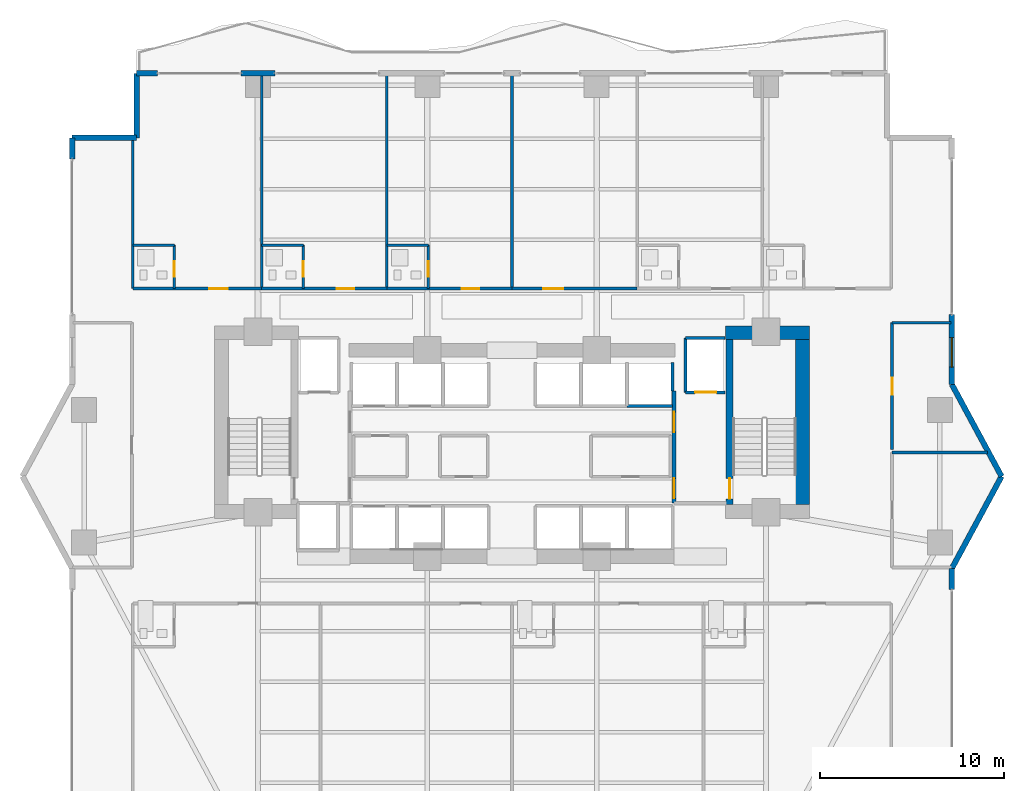
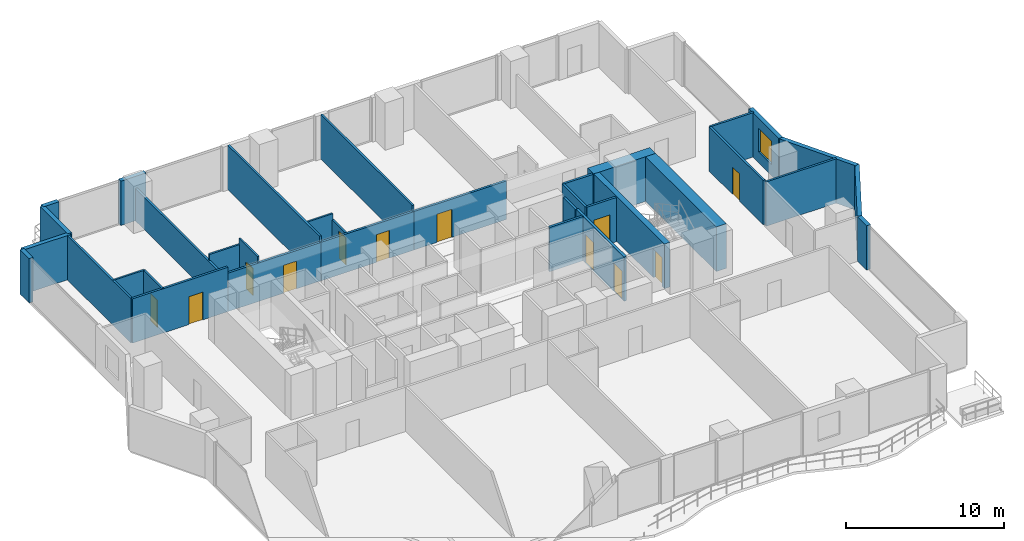
# One storey, part 23 of 29: 35 walls, 12 doors, 1 window, 13 openings.
"""IFC4 building model written with IfcOpenShell, lengths in metres."""

from ifc_helpers import new_model, si_unit, direction, frame, frame_2d, origin, place, context, subcontext, project, spatial, rectangle, extrude, material, layer, layer_set, type_object, element, fill, save


model = new_model("IFC4")

# Units and contexts
model_context = context("Model", 3, precision=1e-05, world=origin(), true_north=direction((0.0, 1.0)))
body_context = subcontext(model_context, "Body", "Model", "MODEL_VIEW")
ifc_project = project(units=[si_unit("LENGTHUNIT", "METRE"), si_unit("AREAUNIT", "SQUARE_METRE"), si_unit("VOLUMEUNIT", "CUBIC_METRE"), si_unit("PLANEANGLEUNIT", "RADIAN"), si_unit("MASSUNIT", "GRAM", prefix="KILO")], contexts=[model_context])

# Site, building, storey
site_placement = place(None, origin())
site = spatial("IfcSite", under=ifc_project, at=site_placement, CompositionType="ELEMENT")
building_placement = place(site_placement, origin())
building = spatial("IfcBuilding", under=site, at=building_placement, Name="Zuhayl Quay Hotel", CompositionType="ELEMENT")
storey_placement = place(building_placement, frame((0.0, 0.0, 132.14990234375)))
storey = spatial("IfcBuildingStorey", under=building, at=storey_placement, Name="L33", CompositionType="ELEMENT", Elevation=132.14990234375)

# Walls
ifc_material_1 = material(Name="Concrete C60/75", Category="concrete")
ifc_layer_1 = layer(ifc_material_1, 0.75, Name="Concrete C60/75", Category="concrete")
ifc_layer_set_1 = layer_set([ifc_layer_1], Name="Concrete C60/75")
wall_type_1 = type_object("IfcWallType", Name="WL_CORE_750", PredefinedType="SHEAR", material=ifc_layer_set_1)
wall_1_placement = place(storey_placement, frame((11.60009765625, 14.304931640625, 0.0), z_axis=(0.0, 0.0, 1.0), x_axis=(1.0, 0.0, 0.0)))
element("IfcWall", 1, at=wall_1_placement, inside=storey, type_object=wall_type_1, Name="L33 Core Shear Wall CW_NE", PredefinedType="SHEAR", context=body_context, shape_type="SweptSolid", body=[
    extrude(rectangle(XDim=4.559814453125, YDim=0.75, at=frame_2d((2.27978515625, 0.0))), origin(), (0.0, 0.0, 1.0), 3.460205078125),
])
wall_2_placement = place(storey_placement, frame((15.784912109375, 4.969970703125, 0.0), z_axis=(0.0, 0.0, 1.0), x_axis=(0.0, 1.0, 0.0)))
element("IfcWall", 2, at=wall_2_placement, inside=storey, type_object=wall_type_1, Name="L33 Core Shear Wall CW_E", PredefinedType="SHEAR", context=body_context, shape_type="SweptSolid", body=[
    extrude(rectangle(XDim=8.9599609375, YDim=0.75, at=frame_2d((4.47998046875, 0.0))), origin(), (0.0, 0.0, 1.0), 3.460205078125),
])
ifc_material_2 = material(Name="Precast concrete C45/55", Category="concrete")
ifc_layer_2 = layer(ifc_material_2, 0.300048828125, Name="Precast concrete C45/55", Category="concrete")
ifc_layer_set_2 = layer_set([ifc_layer_2], Name="Precast concrete C45/55")
wall_type_2 = type_object("IfcWallType", Name="WL_EXT_300", PredefinedType="STANDARD", material=ifc_layer_set_2)
wall_3_placement = place(storey_placement, frame((-23.89990234375, 23.75, 0.0), z_axis=(0.0, 0.0, 1.0), x_axis=(0.0, 1.0, 0.0)))
element("IfcWall", 3, at=wall_3_placement, inside=storey, type_object=wall_type_2, Name="L33 Exterior Precast Wall ENV_L33_E05_EW2", PredefinedType="STANDARD", context=body_context, shape_type="SweptSolid", body=[
    extrude(rectangle(XDim=1.14990234375, YDim=0.300048828125, at=frame_2d((0.574951171875, 0.0))), origin(), (0.0, 0.0, 1.0), 3.43017578125),
])
for number, where, z_axis, x_axis, name in (
    (4, (-23.89990234375, 24.89990234375, 0.0), (0.0, 0.0, 1.0), (1.0, 0.0, 0.0), "L33 Exterior Precast Wall ENV_L33_EW06"),
    (5, (-20.39990234375, 24.89990234375, 0.0), (0.0, 0.0, 1.0), (0.0, 1.0, 0.0), "L33 Exterior Precast Wall ENV_L33_EW07"),
):
    element("IfcWall", number, at=place(storey_placement, frame(where, z_axis=z_axis, x_axis=x_axis)), inside=storey, type_object=wall_type_2, Name=name, PredefinedType="STANDARD", context=body_context, shape_type="SweptSolid", body=[
        extrude(rectangle(XDim=3.5, YDim=0.300048828125, at=frame_2d((1.75, 0.0))), origin(), (0.0, 0.0, 1.0), 3.43017578125),
    ])
wall_4_placement = place(storey_placement, frame((-20.39990234375, 28.39990234375, 0.0), z_axis=(0.0, 0.0, 1.0), x_axis=(1.0, 0.0, 0.0)))
element("IfcWall", 6, at=wall_4_placement, inside=storey, type_object=wall_type_2, Name="L33 Exterior Precast Wall ENV_L33_N_EW1", PredefinedType="STANDARD", context=body_context, shape_type="SweptSolid", body=[
    extrude(rectangle(XDim=1.14990234375, YDim=0.300048828125, at=frame_2d((0.574951171875, 0.0))), origin(), (0.0, 0.0, 1.0), 3.43017578125),
])
wall_5_placement = place(storey_placement, frame((-14.719970703125, 28.39990234375, 0.0), z_axis=(0.0, 0.0, 1.0), x_axis=(1.0, 0.0, 0.0)))
element("IfcWall", 7, at=wall_5_placement, inside=storey, type_object=wall_type_2, Name="L33 Exterior Precast Wall ENV_L33_N_EW2", PredefinedType="STANDARD", context=body_context, shape_type="SweptSolid", body=[
    extrude(rectangle(XDim=1.840087890625, YDim=0.300048828125, at=frame_2d((0.919921875, 0.0))), origin(), (0.0, 0.0, 1.0), 3.43017578125),
])

# Wall, opening, window
wall_6_placement = place(storey_placement, frame((23.89990234375, 15.300048828125, 0.0), z_axis=(0.0, 0.0, 1.0), x_axis=(0.0, -1.0, 0.0)))
wall_6 = element("IfcWall", 8, at=wall_6_placement, inside=storey, type_object=wall_type_2, Name="L33 Exterior Precast Wall ENV_L33_E11_EW2", PredefinedType="STANDARD", context=body_context, shape_type="SweptSolid", body=[
    extrude(rectangle(XDim=3.800048828125, YDim=0.300048828125, at=frame_2d((1.89990234375, 0.0))), origin(), (0.0, 0.0, 1.0), 3.43017578125),
])
opening_1_placement = place(wall_6_placement, frame((1.264892578125, 0.0, 0.85009765625)))
opening_1 = element("IfcOpeningElement", 9, at=opening_1_placement, cuts=wall_6, Name="Opening W01", PredefinedType="OPENING", context=body_context, shape_type="SweptSolid", body=[
    extrude(rectangle(XDim=1.60009765625, YDim=1.800048828125, at=frame_2d((0.800048828125, 0.89990234375))), frame((0.0, 0.159912109375, 0.0), z_axis=(0.0, -1.0, 0.0), x_axis=(1.0, 0.0, 0.0)), (0.0, 0.0, 1.0), 0.320068359375),
])
ifc_material_3 = material(Name="Dark Ceramic-Fritted Solar Glass", Category="glass")
window_type = type_object("IfcWindowType", Name="WN_OPERABLE_1600", PartitioningType="DOUBLE_PANEL_VERTICAL", PredefinedType="WINDOW", material=ifc_material_3)
window_placement = place(opening_1_placement, origin())
window = element("IfcWindow", 10, at=window_placement, inside=storey, type_object=window_type, Name="L33 Operable Facade Window 2-1", OverallHeight=1.800048828125, OverallWidth=1.60009765625, PartitioningType="SINGLE_PANEL", PredefinedType="WINDOW", context=body_context, shape_type="SweptSolid", body=[
    extrude(rectangle(XDim=1.60009765625, YDim=1.800048828125, at=frame_2d((0.800048828125, 0.89990234375))), frame((0.0, 0.030029296875, 0.0), z_axis=(0.0, -1.0, 0.0), x_axis=(1.0, 0.0, 0.0)), (0.0, 0.0, 1.0), 0.06005859375),
])
fill(opening_1, window)

# Walls
for number, where, z_axis, x_axis, name in (
    (11, (23.89990234375, 11.5, 0.0), (0.0, 0.0, 1.0), (0.475175525499, -0.879891027325, 0.0), "L33 Exterior Precast Wall ENV_L33_EW12"),
    (12, (26.60009765625, 6.5, 0.0), (0.0, 0.0, 1.0), (-0.475175525499, -0.879891027325, 0.0), "L33 Exterior Precast Wall ENV_L33_EW13"),
):
    element("IfcWall", number, at=place(storey_placement, frame(where, z_axis=z_axis, x_axis=x_axis)), inside=storey, type_object=wall_type_2, Name=name, PredefinedType="STANDARD", context=body_context, shape_type="SweptSolid", body=[
        extrude(rectangle(XDim=5.6826171875, YDim=0.300048828125, at=frame_2d((2.84130859375, 0.0))), origin(), (0.0, 0.0, 1.0), 3.43017578125),
    ])
wall_7_placement = place(storey_placement, frame((23.89990234375, 1.5, 0.0), z_axis=(0.0, 0.0, 1.0), x_axis=(0.0, -1.0, 0.0)))
element("IfcWall", 13, at=wall_7_placement, inside=storey, type_object=wall_type_2, Name="L33 Exterior Precast Wall ENV_L33_E14_EW1", PredefinedType="STANDARD", context=body_context, shape_type="SweptSolid", body=[
    extrude(rectangle(XDim=1.14990234375, YDim=0.300048828125, at=frame_2d((0.574951171875, 0.0))), origin(), (0.0, 0.0, 1.0), 3.43017578125),
])
ifc_material_4 = material(Name="Acoustic Gypsum Partition STC-58")
ifc_layer_3 = layer(ifc_material_4, 0.14990234375, Name="Acoustic Gypsum Partition STC-58")
ifc_layer_set_3 = layer_set([ifc_layer_3], Name="Acoustic Gypsum Partition STC-58")
wall_type_3 = type_object("IfcWallType", Name="WL_PART_150", PredefinedType="PARTITIONING", material=ifc_layer_set_3)
wall_8_placement = place(storey_placement, frame((-20.60009765625, 16.699951171875, 0.0), z_axis=(0.0, 0.0, 1.0), x_axis=(0.0, 1.0, 0.0)))
element("IfcWall", 14, at=wall_8_placement, inside=storey, type_object=wall_type_3, Name="L33 Partition IW_L33_NU01_W", PredefinedType="PARTITIONING", context=body_context, shape_type="SweptSolid", body=[
    extrude(rectangle(XDim=8.199951171875, YDim=0.14990234375, at=frame_2d((4.10009765625, 0.0))), origin(), (0.0, 0.0, 1.0), 3.43017578125),
])
wall_9_placement = place(storey_placement, frame((-13.60009765625, 16.699951171875, 0.0), z_axis=(0.0, 0.0, 1.0), x_axis=(0.0, 1.0, 0.0)))
element("IfcWall", 15, at=wall_9_placement, inside=storey, type_object=wall_type_3, Name="L33 Partition IW_L33_NU01_E", PredefinedType="PARTITIONING", context=body_context, shape_type="SweptSolid", body=[
    extrude(rectangle(XDim=11.6201171875, YDim=0.14990234375, at=frame_2d((5.81005859375, 0.0))), origin(), (0.0, 0.0, 1.0), 2.503173828125),
])
for number, where, z_axis, x_axis, name in (
    (16, (-6.800048828125, 16.699951171875, 0.0), (0.0, 0.0, 1.0), (0.0, 1.0, 0.0), "L33 Partition IW_L33_NU02_E"),
    (17, (0.0, 16.699951171875, 0.0), (0.0, 0.0, 1.0), (0.0, 1.0, 0.0), "L33 Partition IW_L33_NU03_E"),
):
    element("IfcWall", number, at=place(storey_placement, frame(where, z_axis=z_axis, x_axis=x_axis)), inside=storey, type_object=wall_type_3, Name=name, PredefinedType="PARTITIONING", context=body_context, shape_type="SweptSolid", body=[
        extrude(rectangle(XDim=11.6201171875, YDim=0.14990234375, at=frame_2d((5.81005859375, 0.0))), origin(), (0.0, 0.0, 1.0), 3.43017578125),
    ])
wall_10_placement = place(storey_placement, frame((20.64990234375, 7.800048828125, 0.0), z_axis=(0.0, 0.0, 1.0), x_axis=(1.0, 0.0, 0.0)))
element("IfcWall", 18, at=wall_10_placement, inside=storey, type_object=wall_type_3, Name="L33 Partition IW_L33_HK_MAIN_N", PredefinedType="PARTITIONING", context=body_context, shape_type="SweptSolid", body=[
    extrude(rectangle(XDim=5.18798828125, YDim=0.14990234375, at=frame_2d((2.593994140625, 0.0))), origin(), (0.0, 0.0, 1.0), 3.43017578125),
])
wall_11_placement = place(storey_placement, frame((20.64990234375, 14.85009765625, 0.0), z_axis=(0.0, 0.0, 1.0), x_axis=(1.0, 0.0, 0.0)))
element("IfcWall", 19, at=wall_11_placement, inside=storey, type_object=wall_type_3, Name="L33 Partition IW_L33_EFLK_2_N", PredefinedType="PARTITIONING", context=body_context, shape_type="SweptSolid", body=[
    extrude(rectangle(XDim=3.190185546875, YDim=0.14990234375, at=frame_2d((1.59521484375, 0.0))), origin(), (0.0, 0.0, 1.0), 3.43017578125),
])

# Wall, opening, door
ifc_layer_4 = layer(ifc_material_4, 0.159912109375, Name="Acoustic Gypsum Partition STC-58")
ifc_layer_set_4 = layer_set([ifc_layer_4], Name="Acoustic Gypsum Partition STC-58")
wall_type_4 = type_object("IfcWallType", Name="WL_PART_CORR_160", PredefinedType="PARTITIONING", material=ifc_layer_set_4)
wall_12_placement = place(storey_placement, frame((-20.60009765625, 16.699951171875, 0.0), z_axis=(0.0, 0.0, 1.0), x_axis=(1.0, 0.0, 0.0)))
wall_12 = element("IfcWall", 20, at=wall_12_placement, inside=storey, type_object=wall_type_4, Name="L33 Partition IW_L33_NU01_COR", PredefinedType="PARTITIONING", context=body_context, shape_type="SweptSolid", body=[
    extrude(rectangle(XDim=7.0, YDim=0.159912109375, at=frame_2d((3.5, 0.0))), origin(), (0.0, 0.0, 1.0), 3.43017578125),
])
opening_2_placement = place(wall_12_placement, frame((4.14990234375, 0.0, 0.0)))
opening_2 = element("IfcOpeningElement", 21, at=opening_2_placement, cuts=wall_12, Name="Opening D03L", PredefinedType="OPENING", context=body_context, shape_type="SweptSolid", body=[
    extrude(rectangle(XDim=1.0, YDim=2.14990234375, at=frame_2d((0.5, 1.074951171875))), frame((0.0, 0.08984375, 0.0), z_axis=(0.0, -1.0, 0.0), x_axis=(1.0, 0.0, 0.0)), (0.0, 0.0, 1.0), 0.179931640625),
])
ifc_material_5 = material(Name="Solid Walnut Acoustic Fire Door")
door_type_1 = type_object("IfcDoorType", Name="DR_SUITE_1000", OperationType="NOTDEFINED", PredefinedType="DOOR", material=ifc_material_5)
door_1_placement = place(opening_2_placement, origin())
door_1 = element("IfcDoor", 22, at=door_1_placement, inside=storey, type_object=door_type_1, Name="L33 Deluxe Gulf Junior Suite L33-01 Entrance Door", OperationType="SINGLE_SWING_RIGHT", OverallHeight=2.14990234375, OverallWidth=1.0, PredefinedType="DOOR", context=body_context, shape_type="SweptSolid", body=[
    extrude(rectangle(XDim=1.0, YDim=2.14990234375, at=frame_2d((0.5, 1.074951171875))), frame((0.0, 0.02490234375, 0.0), z_axis=(0.0, -1.0, 0.0), x_axis=(1.0, 0.0, 0.0)), (0.0, 0.0, 1.0), 0.050048828125),
])
fill(opening_2, door_1)

wall_13_placement = place(storey_placement, frame((-13.60009765625, 16.699951171875, 0.0), z_axis=(0.0, 0.0, 1.0), x_axis=(1.0, 0.0, 0.0)))
wall_13 = element("IfcWall", 23, at=wall_13_placement, inside=storey, type_object=wall_type_4, Name="L33 Partition IW_L33_NU02_COR", PredefinedType="PARTITIONING", context=body_context, shape_type="SweptSolid", body=[
    extrude(rectangle(XDim=6.800048828125, YDim=0.159912109375, at=frame_2d((3.39990234375, 0.0))), origin(), (0.0, 0.0, 1.0), 2.97314453125),
])
opening_3_placement = place(wall_13_placement, frame((4.074951171875, 0.0, 0.0)))
opening_3 = element("IfcOpeningElement", 24, at=opening_3_placement, cuts=wall_13, Name="Opening D03", PredefinedType="OPENING", context=body_context, shape_type="SweptSolid", body=[
    extrude(rectangle(XDim=0.949951171875, YDim=2.14990234375, at=frame_2d((0.47509765625, 1.074951171875))), frame((0.0, 0.08984375, 0.0), z_axis=(0.0, -1.0, 0.0), x_axis=(1.0, 0.0, 0.0)), (0.0, 0.0, 1.0), 0.179931640625),
])
door_type_2 = type_object("IfcDoorType", Name="DR_SUITE_950", OperationType="NOTDEFINED", PredefinedType="DOOR", material=ifc_material_5)
door_2_placement = place(opening_3_placement, origin())
door_2 = element("IfcDoor", 25, at=door_2_placement, inside=storey, type_object=door_type_2, Name="L33 Deluxe Gulf Guest Room L33-02 Entrance Door", OperationType="SINGLE_SWING_RIGHT", OverallHeight=2.14990234375, OverallWidth=0.949951171875, PredefinedType="DOOR", context=body_context, shape_type="SweptSolid", body=[
    extrude(rectangle(XDim=0.949951171875, YDim=2.14990234375, at=frame_2d((0.47509765625, 1.074951171875))), frame((0.0, 0.02490234375, 0.0), z_axis=(0.0, -1.0, 0.0), x_axis=(1.0, 0.0, 0.0)), (0.0, 0.0, 1.0), 0.050048828125),
])
fill(opening_3, door_2)

wall_14_placement = place(storey_placement, frame((-6.800048828125, 16.699951171875, 0.0), z_axis=(0.0, 0.0, 1.0), x_axis=(1.0, 0.0, 0.0)))
wall_14 = element("IfcWall", 26, at=wall_14_placement, inside=storey, type_object=wall_type_4, Name="L33 Partition IW_L33_NU03_COR", PredefinedType="PARTITIONING", context=body_context, shape_type="SweptSolid", body=[
    extrude(rectangle(XDim=6.800048828125, YDim=0.159912109375, at=frame_2d((3.39990234375, 0.0))), origin(), (0.0, 0.0, 1.0), 2.97314453125),
])
opening_4_placement = place(wall_14_placement, frame((4.074951171875, 0.0, 0.0)))
opening_4 = element("IfcOpeningElement", 27, at=opening_4_placement, cuts=wall_14, Name="Opening D03", PredefinedType="OPENING", context=body_context, shape_type="SweptSolid", body=[
    extrude(rectangle(XDim=0.949951171875, YDim=2.14990234375, at=frame_2d((0.47509765625, 1.074951171875))), frame((0.0, 0.08984375, 0.0), z_axis=(0.0, -1.0, 0.0), x_axis=(1.0, 0.0, 0.0)), (0.0, 0.0, 1.0), 0.179931640625),
])
door_3_placement = place(opening_4_placement, origin())
door_3 = element("IfcDoor", 28, at=door_3_placement, inside=storey, type_object=door_type_2, Name="L33 Deluxe Gulf Guest Room L33-03 Entrance Door", OperationType="SINGLE_SWING_RIGHT", OverallHeight=2.14990234375, OverallWidth=0.949951171875, PredefinedType="DOOR", context=body_context, shape_type="SweptSolid", body=[
    extrude(rectangle(XDim=0.949951171875, YDim=2.14990234375, at=frame_2d((0.47509765625, 1.074951171875))), frame((0.0, 0.02490234375, 0.0), z_axis=(0.0, -1.0, 0.0), x_axis=(1.0, 0.0, 0.0)), (0.0, 0.0, 1.0), 0.050048828125),
])
fill(opening_4, door_3)

wall_15_placement = place(storey_placement, frame((0.0, 16.699951171875, 0.0), z_axis=(0.0, 0.0, 1.0), x_axis=(1.0, 0.0, 0.0)))
wall_15 = element("IfcWall", 29, at=wall_15_placement, inside=storey, type_object=wall_type_4, Name="L33 Partition IW_L33_NSAL_3_S", PredefinedType="PARTITIONING", context=body_context, shape_type="SweptSolid", body=[
    extrude(rectangle(XDim=6.800048828125, YDim=0.159912109375, at=frame_2d((3.39990234375, 0.0))), origin(), (0.0, 0.0, 1.0), 2.97314453125),
])
opening_5_placement = place(wall_15_placement, frame((1.7099609375, 0.0, 0.0)))
opening_5 = element("IfcOpeningElement", 30, at=opening_5_placement, cuts=wall_15, Name="Opening D05A", PredefinedType="OPENING", context=body_context, shape_type="SweptSolid", body=[
    extrude(rectangle(XDim=1.080078125, YDim=2.179931640625, at=frame_2d((0.5400390625, 1.08984375))), frame((0.0, 0.08984375, 0.0), z_axis=(0.0, -1.0, 0.0), x_axis=(1.0, 0.0, 0.0)), (0.0, 0.0, 1.0), 0.179931640625),
])
door_type_3 = type_object("IfcDoorType", Name="DR_INT_1100", OperationType="NOTDEFINED", PredefinedType="DOOR", material=ifc_material_5)
door_4_placement = place(opening_5_placement, origin())
door_4 = element("IfcDoor", 31, at=door_4_placement, inside=storey, type_object=door_type_3, Name="L33 Private Dining Salon Door", OperationType="SINGLE_SWING_LEFT", OverallHeight=2.179931640625, OverallWidth=1.080078125, PredefinedType="DOOR", context=body_context, shape_type="SweptSolid", body=[
    extrude(rectangle(XDim=1.080078125, YDim=2.179931640625, at=frame_2d((0.5400390625, 1.08984375))), frame((0.0, 0.02490234375, 0.0), z_axis=(0.0, -1.0, 0.0), x_axis=(1.0, 0.0, 0.0)), (0.0, 0.0, 1.0), 0.050048828125),
])
fill(opening_5, door_4)

wall_16_placement = place(storey_placement, frame((20.64990234375, 7.9599609375, 0.0), z_axis=(0.0, 0.0, 1.0), x_axis=(0.0, 1.0, 0.0)))
wall_16 = element("IfcWall", 32, at=wall_16_placement, inside=storey, type_object=wall_type_4, Name="L33 Partition IW_L33_EFLK_2_W", PredefinedType="PARTITIONING", context=body_context, shape_type="SweptSolid", body=[
    extrude(rectangle(XDim=6.89013671875, YDim=0.159912109375, at=frame_2d((3.445068359375, 0.0))), origin(), (0.0, 0.0, 1.0), 3.43017578125),
])
opening_6_placement = place(wall_16_placement, frame((2.985107421875, 0.0, 0.0)))
opening_6 = element("IfcOpeningElement", 33, at=opening_6_placement, cuts=wall_16, Name="Opening D05", PredefinedType="OPENING", context=body_context, shape_type="SweptSolid", body=[
    extrude(rectangle(XDim=0.919921875, YDim=2.1201171875, at=frame_2d((0.4599609375, 1.06005859375))), frame((0.0, 0.08984375, 0.0), z_axis=(0.0, -1.0, 0.0), x_axis=(1.0, 0.0, 0.0)), (0.0, 0.0, 1.0), 0.179931640625),
])
door_type_4 = type_object("IfcDoorType", Name="DR_INT_950", OperationType="NOTDEFINED", PredefinedType="DOOR", material=ifc_material_5)
door_5_placement = place(opening_6_placement, origin())
door_5 = element("IfcDoor", 34, at=door_5_placement, inside=storey, type_object=door_type_4, Name="L33 Floor Beverage and Ice Pantry Door", OperationType="SINGLE_SWING_RIGHT", OverallHeight=2.1201171875, OverallWidth=0.919921875, PredefinedType="DOOR", context=body_context, shape_type="SweptSolid", body=[
    extrude(rectangle(XDim=0.919921875, YDim=2.1201171875, at=frame_2d((0.4599609375, 1.06005859375))), frame((0.0, 0.02490234375, 0.0), z_axis=(0.0, -1.0, 0.0), x_axis=(1.0, 0.0, 0.0)), (0.0, 0.0, 1.0), 0.050048828125),
])
fill(opening_6, door_5)

ifc_material_6 = material(Name="Moisture-Resistant Sanitarychase Gypsum")
ifc_layer_5 = layer(ifc_material_6, 0.135009765625, Name="Moisture-Resistant Sanitarychase Gypsum")
ifc_layer_set_5 = layer_set([ifc_layer_5], Name="Moisture-Resistant Sanitarychase Gypsum")
wall_type_5 = type_object("IfcWallType", Name="WL_PART_PLUMB_150", PredefinedType="PLUMBINGWALL", material=ifc_layer_set_5)
wall_17_placement = place(storey_placement, frame((-18.340087890625, 16.699951171875, 0.0), z_axis=(0.0, 0.0, 1.0), x_axis=(0.0, 1.0, 0.0)))
wall_17 = element("IfcWall", 35, at=wall_17_placement, inside=storey, type_object=wall_type_5, Name="L33 Partition IW_L33_NU01_BE", PredefinedType="PLUMBINGWALL", context=body_context, shape_type="SweptSolid", body=[
    extrude(rectangle(XDim=2.360107421875, YDim=0.135009765625, at=frame_2d((1.18017578125, 0.0))), origin(), (0.0, 0.0, 1.0), 3.43017578125),
])
opening_7_placement = place(wall_17_placement, frame((0.64990234375, 0.0, 0.0)))
opening_7 = element("IfcOpeningElement", 36, at=opening_7_placement, cuts=wall_17, Name="Opening D04", PredefinedType="OPENING", context=body_context, shape_type="SweptSolid", body=[
    extrude(rectangle(XDim=0.85009765625, YDim=2.10009765625, at=frame_2d((0.425048828125, 1.050048828125))), frame((0.0, 0.077392578125, 0.0), z_axis=(0.0, -1.0, 0.0), x_axis=(1.0, 0.0, 0.0)), (0.0, 0.0, 1.0), 0.155029296875),
])
ifc_material_7 = material(Name="Moisture-Resistant Walnut Veneer")
door_type_5 = type_object("IfcDoorType", Name="DR_BATH_850", OperationType="NOTDEFINED", PredefinedType="DOOR", material=ifc_material_7)
door_6_placement = place(opening_7_placement, origin())
door_6 = element("IfcDoor", 37, at=door_6_placement, inside=storey, type_object=door_type_5, Name="L33 Deluxe Gulf Junior Suite L33-01 En-Suite Door", OperationType="SINGLE_SWING_LEFT", OverallHeight=2.10009765625, OverallWidth=0.85009765625, PredefinedType="DOOR", context=body_context, shape_type="SweptSolid", body=[
    extrude(rectangle(XDim=0.85009765625, YDim=2.10009765625, at=frame_2d((0.425048828125, 1.050048828125))), frame((0.0, 0.02490234375, 0.0), z_axis=(0.0, -1.0, 0.0), x_axis=(1.0, 0.0, 0.0)), (0.0, 0.0, 1.0), 0.050048828125),
])
fill(opening_7, door_6)

wall_18_placement = place(storey_placement, frame((-11.340087890625, 16.699951171875, 0.0), z_axis=(0.0, 0.0, 1.0), x_axis=(0.0, 1.0, 0.0)))
wall_18 = element("IfcWall", 38, at=wall_18_placement, inside=storey, type_object=wall_type_5, Name="L33 Partition IW_L33_NU02_BE", PredefinedType="PLUMBINGWALL", context=body_context, shape_type="SweptSolid", body=[
    extrude(rectangle(XDim=2.360107421875, YDim=0.135009765625, at=frame_2d((1.18017578125, 0.0))), origin(), (0.0, 0.0, 1.0), 3.43017578125),
])
opening_8_placement = place(wall_18_placement, frame((0.64990234375, 0.0, 0.0)))
opening_8 = element("IfcOpeningElement", 39, at=opening_8_placement, cuts=wall_18, Name="Opening D04", PredefinedType="OPENING", context=body_context, shape_type="SweptSolid", body=[
    extrude(rectangle(XDim=0.85009765625, YDim=2.10009765625, at=frame_2d((0.425048828125, 1.050048828125))), frame((0.0, 0.077392578125, 0.0), z_axis=(0.0, -1.0, 0.0), x_axis=(1.0, 0.0, 0.0)), (0.0, 0.0, 1.0), 0.155029296875),
])
door_7_placement = place(opening_8_placement, origin())
door_7 = element("IfcDoor", 40, at=door_7_placement, inside=storey, type_object=door_type_5, Name="L33 Deluxe Gulf Guest Room L33-02 En-Suite Door", OperationType="SINGLE_SWING_LEFT", OverallHeight=2.10009765625, OverallWidth=0.85009765625, PredefinedType="DOOR", context=body_context, shape_type="SweptSolid", body=[
    extrude(rectangle(XDim=0.85009765625, YDim=2.10009765625, at=frame_2d((0.425048828125, 1.050048828125))), frame((0.0, 0.02490234375, 0.0), z_axis=(0.0, -1.0, 0.0), x_axis=(1.0, 0.0, 0.0)), (0.0, 0.0, 1.0), 0.050048828125),
])
fill(opening_8, door_7)

wall_19_placement = place(storey_placement, frame((-4.5400390625, 16.699951171875, 0.0), z_axis=(0.0, 0.0, 1.0), x_axis=(0.0, 1.0, 0.0)))
wall_19 = element("IfcWall", 41, at=wall_19_placement, inside=storey, type_object=wall_type_5, Name="L33 Partition IW_L33_NU03_BE", PredefinedType="PLUMBINGWALL", context=body_context, shape_type="SweptSolid", body=[
    extrude(rectangle(XDim=2.360107421875, YDim=0.135009765625, at=frame_2d((1.18017578125, 0.0))), origin(), (0.0, 0.0, 1.0), 2.503173828125),
])
opening_9_placement = place(wall_19_placement, frame((0.64990234375, 0.0, 0.0)))
opening_9 = element("IfcOpeningElement", 42, at=opening_9_placement, cuts=wall_19, Name="Opening D04", PredefinedType="OPENING", context=body_context, shape_type="SweptSolid", body=[
    extrude(rectangle(XDim=0.85009765625, YDim=2.10009765625, at=frame_2d((0.425048828125, 1.050048828125))), frame((0.0, 0.077392578125, 0.0), z_axis=(0.0, -1.0, 0.0), x_axis=(1.0, 0.0, 0.0)), (0.0, 0.0, 1.0), 0.155029296875),
])
door_8_placement = place(opening_9_placement, origin())
door_8 = element("IfcDoor", 43, at=door_8_placement, inside=storey, type_object=door_type_5, Name="L33 Deluxe Gulf Guest Room L33-03 En-Suite Door", OperationType="SINGLE_SWING_LEFT", OverallHeight=2.10009765625, OverallWidth=0.85009765625, PredefinedType="DOOR", context=body_context, shape_type="SweptSolid", body=[
    extrude(rectangle(XDim=0.85009765625, YDim=2.10009765625, at=frame_2d((0.425048828125, 1.050048828125))), frame((0.0, 0.02490234375, 0.0), z_axis=(0.0, -1.0, 0.0), x_axis=(1.0, 0.0, 0.0)), (0.0, 0.0, 1.0), 0.050048828125),
])
fill(opening_9, door_8)

# Walls
wall_20_placement = place(storey_placement, frame((-20.60009765625, 19.06005859375, 0.0), z_axis=(0.0, 0.0, 1.0), x_axis=(1.0, 0.0, 0.0)))
element("IfcWall", 44, at=wall_20_placement, inside=storey, type_object=wall_type_5, Name="L33 Partition IW_L33_NU01_BN", PredefinedType="PLUMBINGWALL", context=body_context, shape_type="SweptSolid", body=[
    extrude(rectangle(XDim=2.260009765625, YDim=0.135009765625, at=frame_2d((1.1298828125, 0.0))), origin(), (0.0, 0.0, 1.0), 3.43017578125),
])
for number, where, z_axis, x_axis, name in (
    (45, (-13.60009765625, 19.06005859375, 0.0), (0.0, 0.0, 1.0), (1.0, 0.0, 0.0), "L33 Partition IW_L33_NU02_BN"),
    (46, (-6.800048828125, 19.06005859375, 0.0), (0.0, 0.0, 1.0), (1.0, 0.0, 0.0), "L33 Partition IW_L33_NU03_BN"),
):
    element("IfcWall", number, at=place(storey_placement, frame(where, z_axis=z_axis, x_axis=x_axis)), inside=storey, type_object=wall_type_5, Name=name, PredefinedType="PLUMBINGWALL", context=body_context, shape_type="SweptSolid", body=[
        extrude(rectangle(XDim=2.260009765625, YDim=0.135009765625, at=frame_2d((1.1298828125, 0.0))), origin(), (0.0, 0.0, 1.0), 2.97314453125),
    ])

# Wall, opening, door
ifc_material_8 = material(Name="Gypsum Fireboard Assembly EI-90")
ifc_layer_6 = layer(ifc_material_8, 0.1650390625, Name="Gypsum Fireboard Assembly EI-90")
ifc_layer_set_6 = layer_set([ifc_layer_6], Name="Gypsum Fireboard Assembly EI-90")
wall_type_6 = type_object("IfcWallType", Name="WL_PART_SHAFT_160", PredefinedType="PARTITIONING", material=ifc_layer_set_6)
wall_21_placement = place(storey_placement, frame((9.419921875, 11.070068359375, 0.0), z_axis=(0.0, 0.0, 1.0), x_axis=(1.0, 0.0, 0.0)))
wall_21 = element("IfcWall", 47, at=wall_21_placement, inside=storey, type_object=wall_type_6, Name="L33 Partition IW_L33_SH_FL2_F", PredefinedType="PARTITIONING", context=body_context, shape_type="SweptSolid", body=[
    extrude(rectangle(XDim=2.16015625, YDim=0.1650390625, at=frame_2d((1.080078125, 0.0))), origin(), (0.0, 0.0, 1.0), 3.43017578125),
])
opening_10_placement = place(wall_21_placement, frame((0.530029296875, 0.0, 0.0)))
opening_10 = element("IfcOpeningElement", 48, at=opening_10_placement, cuts=wall_21, Name="Opening LD2", PredefinedType="OPENING", context=body_context, shape_type="SweptSolid", body=[
    extrude(rectangle(XDim=1.14990234375, YDim=2.25, at=frame_2d((0.574951171875, 1.125))), frame((0.0, 0.092529296875, 0.0), z_axis=(0.0, -1.0, 0.0), x_axis=(1.0, 0.0, 0.0)), (0.0, 0.0, 1.0), 0.18505859375),
])
ifc_material_9 = material(Name="Brushed Stainless Steel", Category="steel")
door_type_6 = type_object("IfcDoorType", Name="DR_LIFT_FF_1100", OperationType="SLIDING_TO_LEFT", PredefinedType="DOOR", material=ifc_material_9)
door_9_placement = place(opening_10_placement, origin())
door_9 = element("IfcDoor", 49, at=door_9_placement, inside=storey, type_object=door_type_6, Name="L33 Lift FL2 Sliding Landing Door", OperationType="SLIDING_TO_LEFT", OverallHeight=2.25, OverallWidth=1.14990234375, PredefinedType="DOOR", context=body_context, shape_type="SweptSolid", body=[
    extrude(rectangle(XDim=1.14990234375, YDim=2.25, at=frame_2d((0.574951171875, 1.125))), frame((0.0, 0.02490234375, 0.0), z_axis=(0.0, -1.0, 0.0), x_axis=(1.0, 0.0, 0.0)), (0.0, 0.0, 1.0), 0.050048828125),
])
fill(opening_10, door_9)

# Walls
wall_22_placement = place(storey_placement, frame((9.419921875, 11.070068359375, 0.0), z_axis=(0.0, 0.0, 1.0), x_axis=(0.0, 1.0, 0.0)))
element("IfcWall", 50, at=wall_22_placement, inside=storey, type_object=wall_type_6, Name="L33 Partition IW_L33_SH_FL2_W", PredefinedType="PARTITIONING", context=body_context, shape_type="SweptSolid", body=[
    extrude(rectangle(XDim=2.9599609375, YDim=0.1650390625, at=frame_2d((1.47998046875, 0.0))), origin(), (0.0, 0.0, 1.0), 3.43017578125),
])
wall_23_placement = place(storey_placement, frame((9.419921875, 14.030029296875, 0.0), z_axis=(0.0, 0.0, 1.0), x_axis=(1.0, 0.0, 0.0)))
element("IfcWall", 51, at=wall_23_placement, inside=storey, type_object=wall_type_6, Name="L33 Partition IW_L33_SH_FL2_B", PredefinedType="PARTITIONING", context=body_context, shape_type="SweptSolid", body=[
    extrude(rectangle(XDim=2.16015625, YDim=0.1650390625, at=frame_2d((1.080078125, 0.0))), origin(), (0.0, 0.0, 1.0), 3.43017578125),
])
wall_24_placement = place(storey_placement, frame((6.25, 10.320068359375, 0.0), z_axis=(0.0, 0.0, 1.0), x_axis=(1.0, 0.0, 0.0)))
element("IfcWall", 52, at=wall_24_placement, inside=storey, type_object=wall_type_6, Name="L33 Partition IW_L33_SH_HP4_F", PredefinedType="PARTITIONING", context=body_context, shape_type="SweptSolid", body=[
    extrude(rectangle(XDim=2.47998046875, YDim=0.1650390625, at=frame_2d((1.239990234375, 0.0))), origin(), (0.0, 0.0, 1.0), 3.43017578125),
])
wall_25_placement = place(storey_placement, frame((8.72998046875, 11.14990234375, 0.0), z_axis=(0.0, 0.0, 1.0), x_axis=(0.0, 1.0, 0.0)))
element("IfcWall", 53, at=wall_25_placement, inside=storey, type_object=wall_type_6, Name="L33 Partition IW_L33_SH_HP4_E", PredefinedType="PARTITIONING", context=body_context, shape_type="SweptSolid", body=[
    extrude(rectangle(XDim=1.530029296875, YDim=0.1650390625, at=frame_2d((0.76513671875, 0.0))), origin(), (0.0, 0.0, 1.0), 3.43017578125),
])

# Wall, openings, doors
ifc_material_10 = material(Name="Gypsum Fireboard Assembly EI-120")
ifc_layer_7 = layer(ifc_material_10, 0.199951171875, Name="Gypsum Fireboard Assembly EI-120")
ifc_layer_set_7 = layer_set([ifc_layer_7], Name="Gypsum Fireboard Assembly EI-120")
wall_type_7 = type_object("IfcWallType", Name="WL_PART_SHAFT_200", PredefinedType="PARTITIONING", material=ifc_layer_set_7)
wall_26_placement = place(storey_placement, frame((8.800048828125, 11.14990234375, 0.0), z_axis=(0.0, 0.0, 1.0), x_axis=(0.0, -1.0, 0.0)))
wall_26 = element("IfcWall", 54, at=wall_26_placement, inside=storey, type_object=wall_type_7, Name="L33 Partition IW_L33_FSAE_E_W", PredefinedType="PARTITIONING", context=body_context, shape_type="SweptSolid", body=[
    extrude(rectangle(XDim=6.099853515625, YDim=0.199951171875, at=frame_2d((3.0498046875, 0.0))), origin(), (0.0, 0.0, 1.0), 3.43017578125),
])
opening_11_placement = place(wall_26_placement, frame((1.14990234375, 0.0, 0.0)))
opening_11 = element("IfcOpeningElement", 55, at=opening_11_placement, cuts=wall_26, Name="Opening D02", PredefinedType="OPENING", context=body_context, shape_type="SweptSolid", body=[
    extrude(rectangle(XDim=1.10009765625, YDim=2.199951171875, at=frame_2d((0.550048828125, 1.10009765625))), frame((0.0, 0.10986328125, 0.0), z_axis=(0.0, -1.0, 0.0), x_axis=(1.0, 0.0, 0.0)), (0.0, 0.0, 1.0), 0.219970703125),
])
opening_12_placement = place(wall_26_placement, frame((4.75, 0.0, 0.0)))
opening_12 = element("IfcOpeningElement", 56, at=opening_12_placement, cuts=wall_26, Name="Opening D02", PredefinedType="OPENING", context=body_context, shape_type="SweptSolid", body=[
    extrude(rectangle(XDim=1.10009765625, YDim=2.199951171875, at=frame_2d((0.550048828125, 1.10009765625))), frame((0.0, 0.10986328125, 0.0), z_axis=(0.0, -1.0, 0.0), x_axis=(1.0, 0.0, 0.0)), (0.0, 0.0, 1.0), 0.219970703125),
])
ifc_material_11 = material(Name="Steel ASTM A992 Grade 50", Category="steel")
door_type_7 = type_object("IfcDoorType", Name="DR_FIRE_90_1100", OperationType="NOTDEFINED", PredefinedType="DOOR", material=ifc_material_11)
door_10_placement = place(opening_11_placement, origin())
door_10 = element("IfcDoor", 57, at=door_10_placement, inside=storey, type_object=door_type_7, Name="L33 FSAE Lobby East North Entry Door", OperationType="SINGLE_SWING_RIGHT", OverallHeight=2.199951171875, OverallWidth=1.10009765625, PredefinedType="DOOR", context=body_context, shape_type="SweptSolid", body=[
    extrude(rectangle(XDim=1.10009765625, YDim=2.199951171875, at=frame_2d((0.550048828125, 1.10009765625))), frame((0.0, 0.02490234375, 0.0), z_axis=(0.0, -1.0, 0.0), x_axis=(1.0, 0.0, 0.0)), (0.0, 0.0, 1.0), 0.050048828125),
])
fill(opening_11, door_10)
door_11_placement = place(opening_12_placement, origin())
door_11 = element("IfcDoor", 58, at=door_11_placement, inside=storey, type_object=door_type_7, Name="L33 FSAE Lobby East South Entry Door", OperationType="SINGLE_SWING_LEFT", OverallHeight=2.199951171875, OverallWidth=1.10009765625, PredefinedType="DOOR", context=body_context, shape_type="SweptSolid", body=[
    extrude(rectangle(XDim=1.10009765625, YDim=2.199951171875, at=frame_2d((0.550048828125, 1.10009765625))), frame((0.0, 0.02490234375, 0.0), z_axis=(0.0, -1.0, 0.0), x_axis=(1.0, 0.0, 0.0)), (0.0, 0.0, 1.0), 0.050048828125),
])
fill(opening_12, door_11)

# Wall, opening, door
ifc_layer_8 = layer(ifc_material_1, 0.39990234375, Name="Concrete C60/75", Category="concrete")
ifc_layer_set_8 = layer_set([ifc_layer_8], Name="Concrete C60/75")
wall_type_8 = type_object("IfcWallType", Name="WL_STAIR_400", PredefinedType="SHEAR", material=ifc_layer_set_8)
wall_27_placement = place(storey_placement, frame((11.820068359375, 13.929931640625, 0.0), z_axis=(0.0, 0.0, 1.0), x_axis=(0.0, -1.0, 0.0)))
wall_27 = element("IfcWall", 59, at=wall_27_placement, inside=storey, type_object=wall_type_8, Name="L33 Core Shear Wall SW_ST2", PredefinedType="SHEAR", context=body_context, shape_type="SweptSolid", body=[
    extrude(rectangle(XDim=8.9599609375, YDim=0.39990234375, at=frame_2d((4.47998046875, 0.0))), origin(), (0.0, 0.0, 1.0), 3.460205078125),
])
opening_13_placement = place(wall_27_placement, frame((7.530029296875, 0.0, 0.0)))
opening_13 = element("IfcOpeningElement", 60, at=opening_13_placement, cuts=wall_27, Name="Opening D01", PredefinedType="OPENING", context=body_context, shape_type="SweptSolid", body=[
    extrude(rectangle(XDim=1.1201171875, YDim=2.219970703125, at=frame_2d((0.56005859375, 1.10986328125))), frame((0.0, 0.2099609375, 0.0), z_axis=(0.0, -1.0, 0.0), x_axis=(1.0, 0.0, 0.0)), (0.0, 0.0, 1.0), 0.419921875),
])
door_type_8 = type_object("IfcDoorType", Name="DR_STAIR_90_1100", OperationType="NOTDEFINED", PredefinedType="DOOR", material=ifc_material_11)
door_12_placement = place(opening_13_placement, origin())
door_12 = element("IfcDoor", 61, at=door_12_placement, inside=storey, type_object=door_type_8, Name="L33 Smokeproof Exit Stair ST2 Door", OperationType="SINGLE_SWING_RIGHT", OverallHeight=2.219970703125, OverallWidth=1.1201171875, PredefinedType="DOOR", context=body_context, shape_type="SweptSolid", body=[
    extrude(rectangle(XDim=1.1201171875, YDim=2.219970703125, at=frame_2d((0.56005859375, 1.10986328125))), frame((0.0, 0.02490234375, 0.0), z_axis=(0.0, -1.0, 0.0), x_axis=(1.0, 0.0, 0.0)), (0.0, 0.0, 1.0), 0.050048828125),
])
fill(opening_13, door_12)

save(model, "model.ifc")
